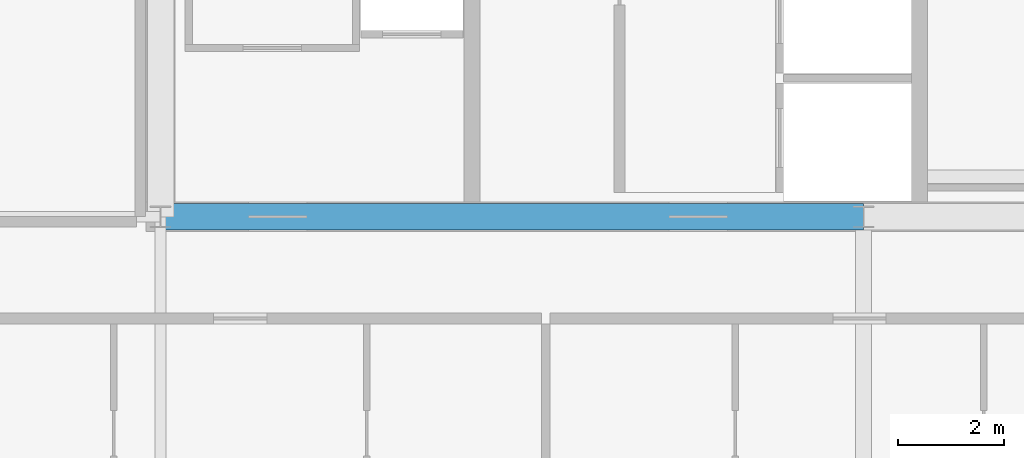
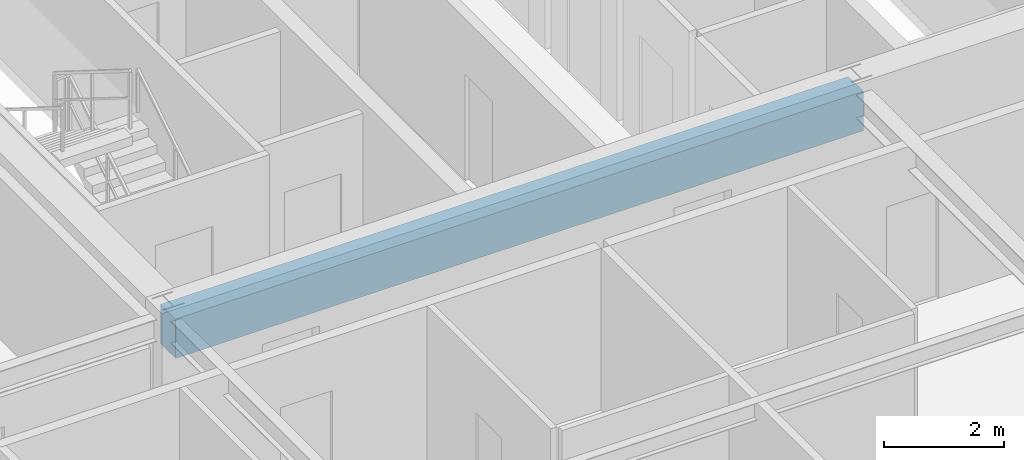
# One storey, part 8 of 36: 1 beam.
"""IFC4 building model written with IfcOpenShell, lengths in metres."""

from ifc_helpers import new_model, si_unit, direction, frame, origin, origin_2d, place, context, subcontext, project, spatial, rectangle, extrude, source, transform, mapped, material, material_profile, profile_set, type_object, element, save


model = new_model("IFC4")

# Units and contexts
model_context = context("Model", 3, precision=1e-05, world=origin(), true_north=direction((0.0, 1.0)))
body_context = subcontext(model_context, "Body", "Model", "MODEL_VIEW")
ifc_project = project(units=[si_unit("LENGTHUNIT", "METRE"), si_unit("AREAUNIT", "SQUARE_METRE"), si_unit("VOLUMEUNIT", "CUBIC_METRE"), si_unit("PLANEANGLEUNIT", "RADIAN"), si_unit("MASSUNIT", "GRAM", prefix="KILO"), si_unit("THERMODYNAMICTEMPERATUREUNIT", "KELVIN"), si_unit("POWERUNIT", "WATT")], contexts=[model_context])

# Site, building, storey
site_placement = place(None, origin())
site = spatial("IfcSite", under=ifc_project, at=site_placement, CompositionType="ELEMENT")
building_placement = place(site_placement, origin())
building = spatial("IfcBuilding", under=site, at=building_placement, Name="Yuzanri Waterfront Tower", CompositionType="ELEMENT")
storey_placement = place(building_placement, frame((0.0, 0.0, 238.10009765625)))
storey = spatial("IfcBuildingStorey", under=building, at=storey_placement, Name="L63", CompositionType="ELEMENT", Elevation=238.10009765625)

# Beam
ifc_material = material(Name="Concrete C50", Category="concrete")
ifc_material_profile = material_profile(ifc_material, rectangle(XDim=0.5, YDim=0.800048828125, at=origin_2d()), Name="RC 500x800")
ifc_profile_set = profile_set([ifc_material_profile], Name="Concrete C50")
beam_type = type_object("IfcBeamType", Name="Core Coupling Lintel Concrete C50 500x800", PredefinedType="LINTEL", material=ifc_profile_set)
shared_shape = source(origin(), body_context, "Body", "SweptSolid", [
    extrude(rectangle(XDim=0.5, YDim=0.800048828125, at=origin_2d()), origin(), (0.0, 0.0, 1.0), 13.199951171875),
])
beam_placement = place(storey_placement, frame((23.800048828125, 19.39990234375, 2.8798828125), z_axis=(1.0, 0.0, 0.0), x_axis=(0.0, 1.0, 0.0)))
element("IfcBeam", 1, at=beam_placement, inside=storey, type_object=beam_type, Name="L63 Core Tie Beam CS1", PredefinedType="LINTEL", context=body_context, shape_type="MappedRepresentation", body=[
    mapped(shared_shape, transform((0.0, 0.0, 0.0), scale=1.0)),
])

save(model, "model.ifc")
